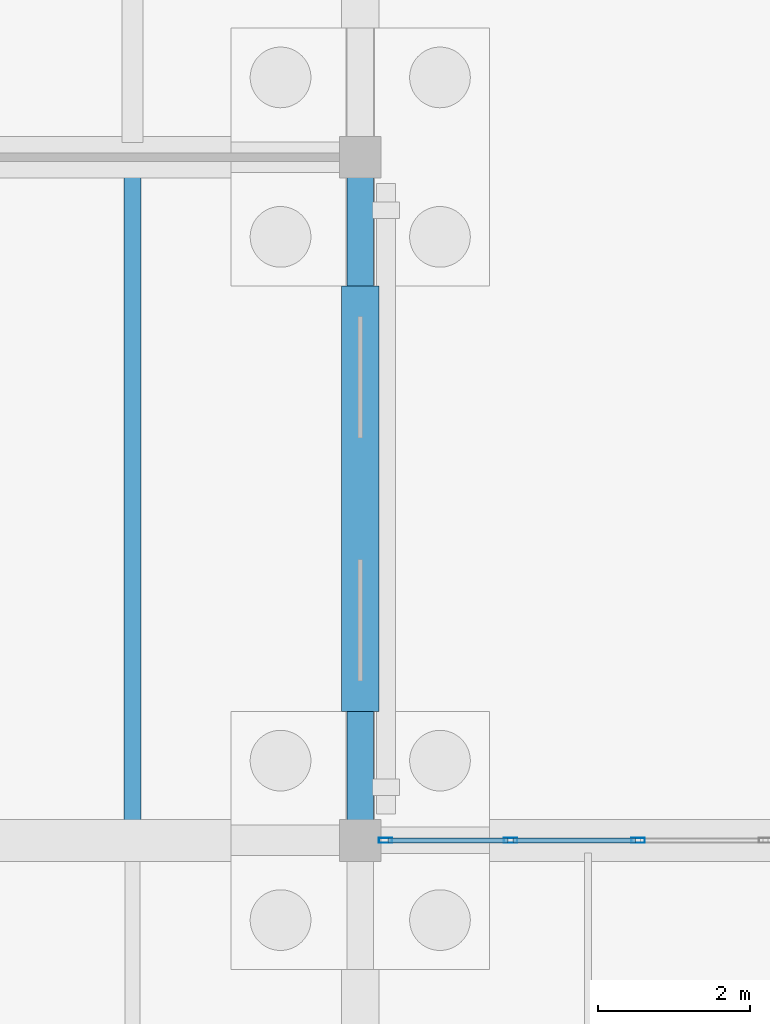
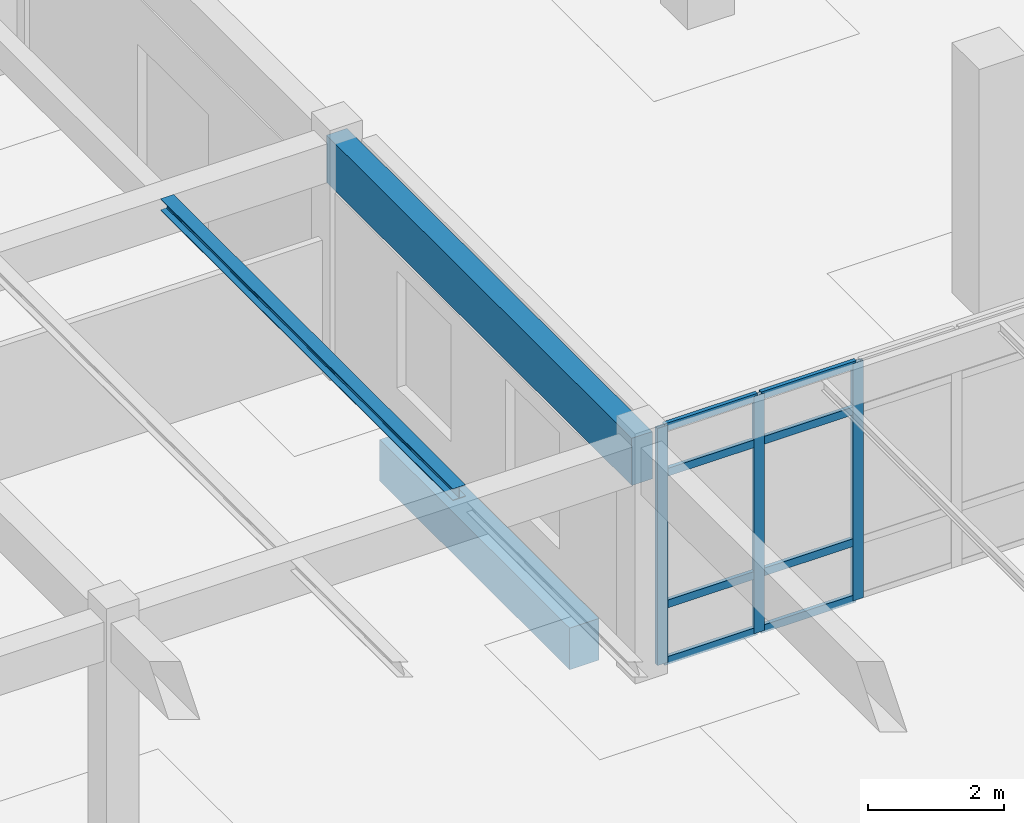
# One storey, part 27 of 186: 11 members, 3 beams, 1 element without a shape of its own.
"""IFC4 building model written with IfcOpenShell, lengths in metres."""

from ifc_helpers import new_model, si_unit, direction, frame, origin, origin_2d, place, context, subcontext, project, spatial, rectangle, hollow_rectangle, i_section, extrude, material, layer, layer_set, material_profile, profile_set, type_object, element, aggregate, save


model = new_model("IFC4")

# Units and contexts
model_context = context("Model", 3, precision=1e-05, world=origin(), true_north=direction((0.0, 1.0)))
body_context = subcontext(model_context, "Body", "Model", "MODEL_VIEW")
ifc_project = project(units=[si_unit("LENGTHUNIT", "METRE"), si_unit("AREAUNIT", "SQUARE_METRE"), si_unit("VOLUMEUNIT", "CUBIC_METRE"), si_unit("PLANEANGLEUNIT", "RADIAN"), si_unit("MASSUNIT", "GRAM", prefix="KILO")], contexts=[model_context])

# Site, building, storey
site_placement = place(None, origin())
site = spatial("IfcSite", under=ifc_project, at=site_placement, CompositionType="ELEMENT")
building_placement = place(site_placement, origin())
building = spatial("IfcBuilding", under=site, at=building_placement, Name="Ornek Quay Market", CompositionType="ELEMENT")
storey_placement = place(building_placement, origin())
storey = spatial("IfcBuildingStorey", under=building, at=storey_placement, Name="L00", CompositionType="ELEMENT", Elevation=0.0)

# Beams
ifc_material_1 = material(Name="Concrete C35/45", Category="concrete")
ifc_material_profile_1 = material_profile(ifc_material_1, rectangle(XDim=0.5, YDim=0.75, at=origin_2d()), Name="RC 500x750", Category="concrete")
ifc_profile_set_1 = profile_set([ifc_material_profile_1], Name="Concrete C35/45")
beam_type_1 = type_object("IfcBeamType", Name="BM-GB-500x750", PredefinedType="BEAM", material=ifc_profile_set_1)
beam_1_placement = place(storey_placement, frame((27.0, 30.699951171875, -0.574951171875), z_axis=(0.0, 1.0, 0.0), x_axis=(-1.0, 0.0, 0.0)))
element("IfcBeam", 1, at=beam_1_placement, inside=storey, type_object=beam_type_1, Name="Ground tie beam GB-078", PredefinedType="BEAM", context=body_context, shape_type="SweptSolid", body=[
    extrude(rectangle(XDim=0.5, YDim=0.75, at=origin_2d()), origin(), (0.0, 0.0, 1.0), 5.60009765625),
])
ifc_material_2 = material(Name="Concrete C40/50", Category="concrete")
ifc_material_profile_2 = material_profile(ifc_material_2, rectangle(XDim=0.35009765625, YDim=0.85009765625, at=origin_2d()), Name="RC 350x850", Category="concrete")
ifc_profile_set_2 = profile_set([ifc_material_profile_2], Name="Concrete C40/50")
beam_type_2 = type_object("IfcBeamType", Name="BM-SPN-350x850", PredefinedType="SPANDREL", material=ifc_profile_set_2)
beam_2_placement = place(storey_placement, frame((27.0, 29.0, 3.794921875), z_axis=(0.0, 1.0, 0.0), x_axis=(-1.0, 0.0, 0.0)))
element("IfcBeam", 2, at=beam_2_placement, inside=storey, type_object=beam_type_2, Name="Primary beam B-SP1-061", PredefinedType="SPANDREL", context=body_context, shape_type="SweptSolid", body=[
    extrude(rectangle(XDim=0.35009765625, YDim=0.85009765625, at=origin_2d()), origin(), (0.0, 0.0, 1.0), 9.0),
])
ifc_material_3 = material(Name="Steel S355", Category="steel")
ifc_material_profile_3 = material_profile(ifc_material_3, i_section(OverallWidth=0.219970703125, OverallDepth=0.2099609375, WebThickness=0.007080078125, FlangeThickness=0.010986328125, FilletRadius=0.01806640625, at=origin_2d()), Name="HEA 220", Category="steel")
ifc_profile_set_3 = profile_set([ifc_material_profile_3], Name="Steel S355")
beam_type_3 = type_object("IfcBeamType", Name="BM-STL-HEA220", PredefinedType="BEAM", material=ifc_profile_set_3)
beam_3_placement = place(storey_placement, frame((24.0, 29.19189453125, 4.114990234375), z_axis=(0.0, 1.0, 0.0), x_axis=(-1.0, 0.0, 0.0)))
element("IfcBeam", 3, at=beam_3_placement, inside=storey, type_object=beam_type_3, Name="Secondary joist SB-13-010", PredefinedType="BEAM", context=body_context, shape_type="SweptSolid", body=[
    extrude(i_section(OverallWidth=0.219970703125, OverallDepth=0.2099609375, WebThickness=0.007080078125, FlangeThickness=0.010986328125, FilletRadius=0.01806640625, at=origin_2d()), origin(), (0.0, 0.0, 1.0), 8.6162109375),
])

# Curtain wall, members
ifc_material_4 = material(Name="Anodised bronze aluminium and triple low-e glass", Category="aluminium")
ifc_layer = layer(ifc_material_4, 0.199951171875, Name="Anodised bronze aluminium and triple low-e glass", Category="aluminium")
ifc_layer_set = layer_set([ifc_layer], Name="Anodised bronze aluminium and triple low-e glass")
curtain_wall_type = type_object("IfcCurtainWallType", Name="CW-CONC-MOD1800", PredefinedType="USERDEFINED", material=ifc_layer_set)
curtain_wall_placement = place(storey_placement, origin())
curtain_wall = element("IfcCurtainWall", 4, at=curtain_wall_placement, inside=storey, type_object=curtain_wall_type, Name="Curtain wall CW-007", ObjectType="CURTAIN WALL", PredefinedType="USERDEFINED")
ifc_material_5 = material(Name="Anodised aluminium 6063-T6", Category="aluminium")
ifc_material_profile_4 = material_profile(ifc_material_5, hollow_rectangle(XDim=0.06494140625, YDim=0.179931640625, WallThickness=0.00439453125, at=origin_2d()), Name="CW-MUL-65x180", Category="aluminium")
ifc_profile_set_4 = profile_set([ifc_material_profile_4], Name="Anodised aluminium 6063-T6")
member_type_1 = type_object("IfcMemberType", Name="CW-MUL-65x180", PredefinedType="MULLION", material=ifc_profile_set_4)
member_1_placement = place(storey_placement, frame((27.33251953125, 29.0, 0.0), z_axis=(0.0, 0.0, 1.0), x_axis=(0.0, 1.0, 0.0)))
member_1 = element("IfcMember", 5, at=member_1_placement, type_object=member_type_1, Name="CW-007 mullion 1", PredefinedType="MULLION", context=body_context, shape_type="SweptSolid", body=[
    extrude(hollow_rectangle(XDim=0.06494140625, YDim=0.179931640625, WallThickness=0.00439453125, at=origin_2d()), origin(), (0.0, 0.0, 1.0), 4.27001953125),
])
member_2_placement = place(storey_placement, frame((28.97998046875, 29.0, 0.0), z_axis=(0.0, 0.0, 1.0), x_axis=(0.0, 1.0, 0.0)))
member_2 = element("IfcMember", 6, at=member_2_placement, type_object=member_type_1, Name="CW-007 mullion 2", PredefinedType="MULLION", context=body_context, shape_type="SweptSolid", body=[
    extrude(hollow_rectangle(XDim=0.06494140625, YDim=0.179931640625, WallThickness=0.00439453125, at=origin_2d()), origin(), (0.0, 0.0, 1.0), 4.27001953125),
])
member_3_placement = place(storey_placement, frame((30.659912109375, 29.0, 0.0), z_axis=(0.0, 0.0, 1.0), x_axis=(0.0, 1.0, 0.0)))
member_3 = element("IfcMember", 7, at=member_3_placement, type_object=member_type_1, Name="CW-007 mullion 3", PredefinedType="MULLION", context=body_context, shape_type="SweptSolid", body=[
    extrude(hollow_rectangle(XDim=0.06494140625, YDim=0.179931640625, WallThickness=0.00439453125, at=origin_2d()), origin(), (0.0, 0.0, 1.0), 4.27001953125),
])
ifc_material_profile_5 = material_profile(ifc_material_5, hollow_rectangle(XDim=0.06494140625, YDim=0.139892578125, WallThickness=0.00439453125, at=origin_2d()), Name="CW-TRN-65x140", Category="aluminium")
ifc_profile_set_5 = profile_set([ifc_material_profile_5], Name="Anodised aluminium 6063-T6")
member_type_2 = type_object("IfcMemberType", Name="CW-TRN-65x140", PredefinedType="USERDEFINED", material=ifc_profile_set_5)
member_4_placement = place(storey_placement, frame((27.364990234375, 29.0, 0.032470703125), z_axis=(1.0, 0.0, 0.0), x_axis=(0.0, 1.0, 0.0)))
member_4 = element("IfcMember", 8, at=member_4_placement, type_object=member_type_2, Name="CW-007 transom 1.1", ObjectType="TRANSOM", PredefinedType="USERDEFINED", context=body_context, shape_type="SweptSolid", body=[
    extrude(hollow_rectangle(XDim=0.06494140625, YDim=0.139892578125, WallThickness=0.00439453125, at=origin_2d()), origin(), (0.0, 0.0, 1.0), 1.58251953125),
])
member_5_placement = place(storey_placement, frame((27.364990234375, 29.0, 1.050048828125), z_axis=(1.0, 0.0, 0.0), x_axis=(0.0, 1.0, 0.0)))
member_5 = element("IfcMember", 9, at=member_5_placement, type_object=member_type_2, Name="CW-007 transom 1.2", ObjectType="TRANSOM", PredefinedType="USERDEFINED", context=body_context, shape_type="SweptSolid", body=[
    extrude(hollow_rectangle(XDim=0.06494140625, YDim=0.139892578125, WallThickness=0.00439453125, at=origin_2d()), origin(), (0.0, 0.0, 1.0), 1.58251953125),
])
member_6_placement = place(storey_placement, frame((27.364990234375, 29.0, 3.419921875), z_axis=(1.0, 0.0, 0.0), x_axis=(0.0, 1.0, 0.0)))
member_6 = element("IfcMember", 10, at=member_6_placement, type_object=member_type_2, Name="CW-007 transom 1.3", ObjectType="TRANSOM", PredefinedType="USERDEFINED", context=body_context, shape_type="SweptSolid", body=[
    extrude(hollow_rectangle(XDim=0.06494140625, YDim=0.139892578125, WallThickness=0.00439453125, at=origin_2d()), origin(), (0.0, 0.0, 1.0), 1.58251953125),
])
member_7_placement = place(storey_placement, frame((27.364990234375, 29.0, 4.237548828125), z_axis=(1.0, 0.0, 0.0), x_axis=(0.0, 1.0, 0.0)))
member_7 = element("IfcMember", 11, at=member_7_placement, type_object=member_type_2, Name="CW-007 transom 1.4", ObjectType="TRANSOM", PredefinedType="USERDEFINED", context=body_context, shape_type="SweptSolid", body=[
    extrude(hollow_rectangle(XDim=0.06494140625, YDim=0.139892578125, WallThickness=0.00439453125, at=origin_2d()), origin(), (0.0, 0.0, 1.0), 1.58251953125),
])
member_8_placement = place(storey_placement, frame((29.012451171875, 29.0, 0.032470703125), z_axis=(1.0, 0.0, 0.0), x_axis=(0.0, 1.0, 0.0)))
member_8 = element("IfcMember", 12, at=member_8_placement, type_object=member_type_2, Name="CW-007 transom 2.1", ObjectType="TRANSOM", PredefinedType="USERDEFINED", context=body_context, shape_type="SweptSolid", body=[
    extrude(hollow_rectangle(XDim=0.06494140625, YDim=0.139892578125, WallThickness=0.00439453125, at=origin_2d()), origin(), (0.0, 0.0, 1.0), 1.614990234375),
])
member_9_placement = place(storey_placement, frame((29.012451171875, 29.0, 1.050048828125), z_axis=(1.0, 0.0, 0.0), x_axis=(0.0, 1.0, 0.0)))
member_9 = element("IfcMember", 13, at=member_9_placement, type_object=member_type_2, Name="CW-007 transom 2.2", ObjectType="TRANSOM", PredefinedType="USERDEFINED", context=body_context, shape_type="SweptSolid", body=[
    extrude(hollow_rectangle(XDim=0.06494140625, YDim=0.139892578125, WallThickness=0.00439453125, at=origin_2d()), origin(), (0.0, 0.0, 1.0), 1.614990234375),
])
member_10_placement = place(storey_placement, frame((29.012451171875, 29.0, 3.419921875), z_axis=(1.0, 0.0, 0.0), x_axis=(0.0, 1.0, 0.0)))
member_10 = element("IfcMember", 14, at=member_10_placement, type_object=member_type_2, Name="CW-007 transom 2.3", ObjectType="TRANSOM", PredefinedType="USERDEFINED", context=body_context, shape_type="SweptSolid", body=[
    extrude(hollow_rectangle(XDim=0.06494140625, YDim=0.139892578125, WallThickness=0.00439453125, at=origin_2d()), origin(), (0.0, 0.0, 1.0), 1.614990234375),
])
member_11_placement = place(storey_placement, frame((29.012451171875, 29.0, 4.237548828125), z_axis=(1.0, 0.0, 0.0), x_axis=(0.0, 1.0, 0.0)))
member_11 = element("IfcMember", 15, at=member_11_placement, type_object=member_type_2, Name="CW-007 transom 2.4", ObjectType="TRANSOM", PredefinedType="USERDEFINED", context=body_context, shape_type="SweptSolid", body=[
    extrude(hollow_rectangle(XDim=0.06494140625, YDim=0.139892578125, WallThickness=0.00439453125, at=origin_2d()), origin(), (0.0, 0.0, 1.0), 1.614990234375),
])
aggregate(curtain_wall, [member_1, member_2, member_3, member_4, member_5, member_6, member_7, member_8, member_9, member_10, member_11])

save(model, "model.ifc")
